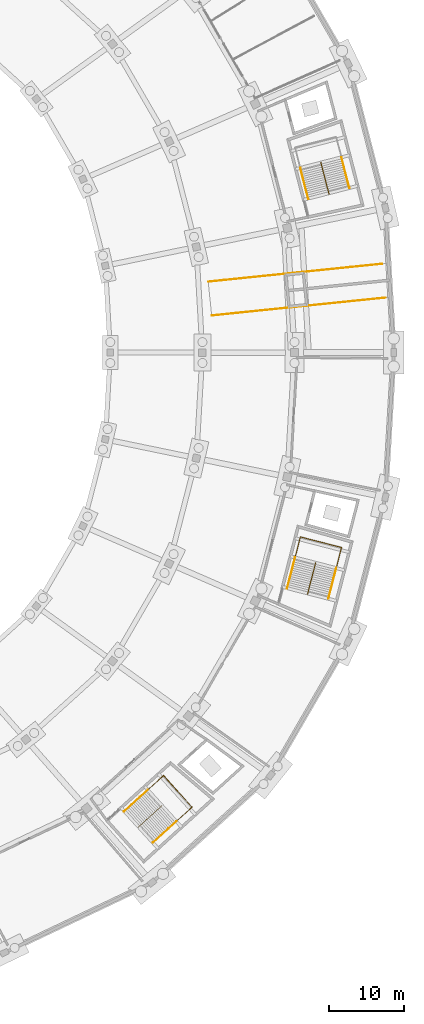
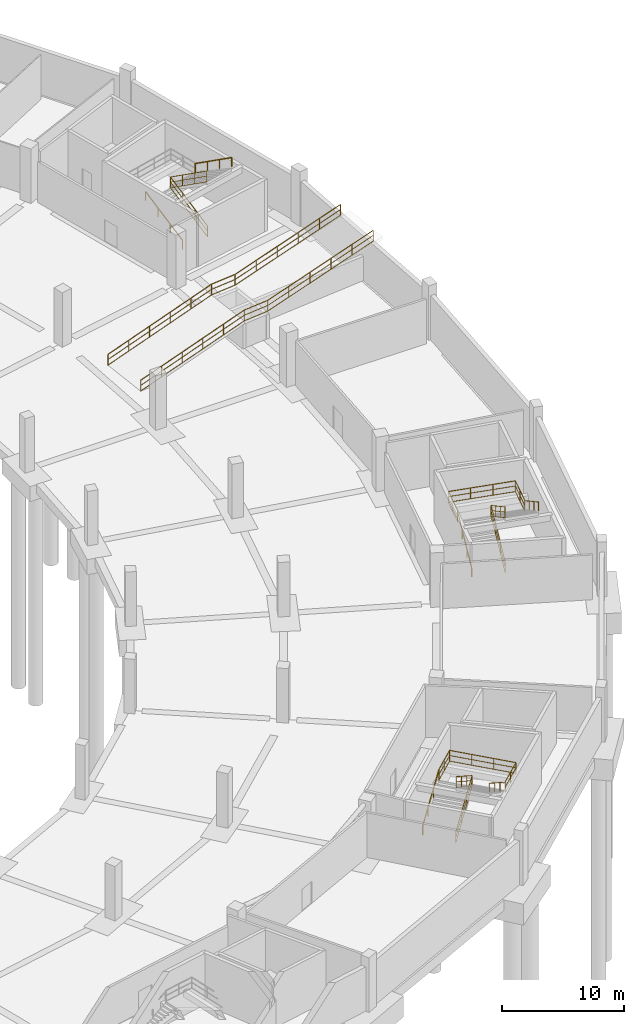
# One storey, part 45 of 49: 13 railings.
"""IFC4 building model written with IfcOpenShell, lengths in metres."""

from ifc_helpers import new_model, si_unit, direction, frame, origin, origin_2d, place, context, subcontext, project, spatial, rectangle, extrude, material, type_object, element, save


model = new_model("IFC4")

# Units and contexts
model_context = context("Model", 3, precision=1e-05, world=origin(), true_north=direction((0.0, 1.0)))
body_context = subcontext(model_context, "Body", "Model", "MODEL_VIEW")
ifc_project = project(units=[si_unit("LENGTHUNIT", "METRE"), si_unit("AREAUNIT", "SQUARE_METRE"), si_unit("VOLUMEUNIT", "CUBIC_METRE"), si_unit("PLANEANGLEUNIT", "RADIAN"), si_unit("MASSUNIT", "GRAM", prefix="KILO")], contexts=[model_context])

# Site, building, storey
site_placement = place(None, origin())
site = spatial("IfcSite", under=ifc_project, at=site_placement, CompositionType="ELEMENT")
building_placement = place(site_placement, origin())
building = spatial("IfcBuilding", under=site, at=building_placement, Name="Kazemori Nagisa Stadium", CompositionType="ELEMENT")
storey_placement = place(building_placement, frame((0.0, 0.0, -5.43994140625)))
storey = spatial("IfcBuildingStorey", under=building, at=storey_placement, Name="B1", CompositionType="ELEMENT", Elevation=-5.43994140625)

# Railings
ifc_material_1 = material(Name="Galvanised powder-coated steel", Category="steel")
railing_type_1 = type_object("IfcRailingType", Name="Rail_GUARD", PredefinedType="GUARDRAIL", material=ifc_material_1)
railing_1_placement = place(storey_placement, frame((209.31298828125, 123.2763671875, 0.0)))
element("IfcRailing", 1, at=railing_1_placement, inside=storey, type_object=railing_type_1, Name="Stair central guard ST07-B1", PredefinedType="GUARDRAIL", context=body_context, shape_type="SweptSolid", body=[
    extrude(rectangle(XDim=0.050048828125, YDim=0.050048828125, at=origin_2d()), frame((0.0, 0.0, 1.09521484375), z_axis=(-0.211589020716, 0.819644641449, 0.532365239339), x_axis=(-0.968257935618, -0.249953135832, 0.0)), (0.0, 0.0, 1.0), 5.109130859375),
    extrude(rectangle(XDim=0.03759765625, YDim=0.03759765625, at=origin_2d()), frame((0.0, 0.0, 0.58251953125), z_axis=(-0.211589020716, 0.819644641449, 0.532365239339), x_axis=(-0.968257935618, -0.249953135832, 0.0)), (0.0, 0.0, 1.0), 5.109130859375),
    extrude(rectangle(XDim=0.03759765625, YDim=0.03759765625, at=origin_2d()), frame((0.0, 0.0, 0.02490234375), z_axis=(-0.211589020716, 0.819644641449, 0.532365239339), x_axis=(-0.968257935618, -0.249953135832, 0.0)), (0.0, 0.0, 1.0), 5.109130859375),
    extrude(rectangle(XDim=0.050048828125, YDim=0.050048828125, at=origin_2d()), frame((-1.0810546875, 4.187744140625, 3.81494140625), z_axis=(0.210450673365, -0.815266345321, 0.539491705466), x_axis=(0.968260264443, 0.249944114354, 0.0)), (0.0, 0.0, 1.0), 5.041748046875),
    extrude(rectangle(XDim=0.03759765625, YDim=0.03759765625, at=origin_2d()), frame((-1.0810546875, 4.187744140625, 3.302490234375), z_axis=(0.210450673365, -0.815266345321, 0.539491705466), x_axis=(0.968260264443, 0.249944114354, 0.0)), (0.0, 0.0, 1.0), 5.041748046875),
    extrude(rectangle(XDim=0.03759765625, YDim=0.03759765625, at=origin_2d()), frame((-1.0810546875, 4.187744140625, 2.7451171875), z_axis=(0.210450673365, -0.815266345321, 0.539491705466), x_axis=(0.968260264443, 0.249944114354, 0.0)), (0.0, 0.0, 1.0), 5.041748046875),
    extrude(rectangle(XDim=0.044921875, YDim=0.044921875, at=origin_2d()), origin(), (0.0, 0.0, 1.0), 1.070068359375),
    extrude(rectangle(XDim=0.044921875, YDim=0.044921875, at=origin_2d()), frame((-0.3603515625, 1.39599609375, 0.90673828125)), (0.0, 0.0, 1.0), 1.070068359375),
    extrude(rectangle(XDim=0.044921875, YDim=0.044921875, at=origin_2d()), frame((-0.720703125, 2.791748046875, 1.813232421875)), (0.0, 0.0, 1.0), 1.070068359375),
    extrude(rectangle(XDim=0.044921875, YDim=0.044921875, at=origin_2d()), frame((-1.0810546875, 4.187744140625, 2.719970703125)), (0.0, 0.0, 1.0), 1.070068359375),
    extrude(rectangle(XDim=0.044921875, YDim=0.044921875, at=origin_2d()), frame((-0.727294921875, 2.817626953125, 3.626708984375)), (0.0, 0.0, 1.0), 1.070068359375),
    extrude(rectangle(XDim=0.044921875, YDim=0.044921875, at=origin_2d()), frame((-0.373779296875, 1.447509765625, 4.533203125)), (0.0, 0.0, 1.0), 1.070068359375),
    extrude(rectangle(XDim=0.044921875, YDim=0.044921875, at=origin_2d()), frame((-0.02001953125, 0.077392578125, 5.43994140625)), (0.0, 0.0, 1.0), 1.070068359375),
])
railing_2_placement = place(storey_placement, frame((183.732177734375, 38.35400390625, 0.0)))
element("IfcRailing", 2, at=railing_2_placement, inside=storey, type_object=railing_type_1, Name="Stair central guard ST04-B1", PredefinedType="GUARDRAIL", context=body_context, shape_type="SweptSolid", body=[
    extrude(rectangle(XDim=0.050048828125, YDim=0.050048828125, at=origin_2d()), frame((0.0, 0.0, 1.09521484375), z_axis=(0.627557777508, 0.568113486393, 0.532370456043), x_axis=(-0.67112318634, 0.741345849626, 0.0)), (0.0, 0.0, 1.0), 5.109130859375),
    extrude(rectangle(XDim=0.03759765625, YDim=0.03759765625, at=origin_2d()), frame((0.0, 0.0, 0.58251953125), z_axis=(0.627557777508, 0.568113486393, 0.532370456043), x_axis=(-0.67112318634, 0.741345849626, 0.0)), (0.0, 0.0, 1.0), 5.109130859375),
    extrude(rectangle(XDim=0.03759765625, YDim=0.03759765625, at=origin_2d()), frame((0.0, 0.0, 0.02490234375), z_axis=(0.627557777508, 0.568113486393, 0.532370456043), x_axis=(-0.67112318634, 0.741345849626, 0.0)), (0.0, 0.0, 1.0), 5.109130859375),
    extrude(rectangle(XDim=0.050048828125, YDim=0.050048828125, at=origin_2d()), frame((3.206298828125, 2.902587890625, 3.81494140625), z_axis=(-0.624200602078, -0.565073454279, 0.539504957933), x_axis=(0.671122625547, -0.741346357298, 0.0)), (0.0, 0.0, 1.0), 5.04150390625),
    extrude(rectangle(XDim=0.03759765625, YDim=0.03759765625, at=origin_2d()), frame((3.206298828125, 2.902587890625, 3.302490234375), z_axis=(-0.624200602078, -0.565073454279, 0.539504957933), x_axis=(0.671122625547, -0.741346357298, 0.0)), (0.0, 0.0, 1.0), 5.04150390625),
    extrude(rectangle(XDim=0.03759765625, YDim=0.03759765625, at=origin_2d()), frame((3.206298828125, 2.902587890625, 2.7451171875), z_axis=(-0.624200602078, -0.565073454279, 0.539504957933), x_axis=(0.671122625547, -0.741346357298, 0.0)), (0.0, 0.0, 1.0), 5.04150390625),
    extrude(rectangle(XDim=0.044921875, YDim=0.044921875, at=origin_2d()), origin(), (0.0, 0.0, 1.0), 1.070068359375),
    extrude(rectangle(XDim=0.044921875, YDim=0.044921875, at=origin_2d()), frame((1.06884765625, 0.967529296875, 0.90673828125)), (0.0, 0.0, 1.0), 1.070068359375),
    extrude(rectangle(XDim=0.044921875, YDim=0.044921875, at=origin_2d()), frame((2.137451171875, 1.93505859375, 1.813232421875)), (0.0, 0.0, 1.0), 1.070068359375),
    extrude(rectangle(XDim=0.044921875, YDim=0.044921875, at=origin_2d()), frame((3.206298828125, 2.902587890625, 2.719970703125)), (0.0, 0.0, 1.0), 1.070068359375),
    extrude(rectangle(XDim=0.044921875, YDim=0.044921875, at=origin_2d()), frame((2.1572265625, 1.952880859375, 3.626708984375)), (0.0, 0.0, 1.0), 1.070068359375),
    extrude(rectangle(XDim=0.044921875, YDim=0.044921875, at=origin_2d()), frame((1.1083984375, 1.00341796875, 4.533203125)), (0.0, 0.0, 1.0), 1.070068359375),
    extrude(rectangle(XDim=0.044921875, YDim=0.044921875, at=origin_2d()), frame((0.059326171875, 0.0537109375, 5.43994140625)), (0.0, 0.0, 1.0), 1.070068359375),
])
railing_3_placement = place(storey_placement, frame((185.02587890625, 43.369384765625, 2.719970703125)))
element("IfcRailing", 3, at=railing_3_placement, inside=storey, type_object=railing_type_1, Name="Stair landing guard ST04-B1", PredefinedType="GUARDRAIL", context=body_context, shape_type="SweptSolid", body=[
    extrude(rectangle(XDim=0.050048828125, YDim=0.050048828125, at=origin_2d()), frame((0.0, 0.0, 1.09521484375), z_axis=(0.741314535645, 0.671157775223, 0.0), x_axis=(-0.671157775223, 0.741314535645, 0.0)), (0.0, 0.0, 1.0), 2.85009765625),
    extrude(rectangle(XDim=0.03759765625, YDim=0.03759765625, at=origin_2d()), frame((0.0, 0.0, 0.58251953125), z_axis=(0.741314535645, 0.671157775223, 0.0), x_axis=(-0.671157775223, 0.741314535645, 0.0)), (0.0, 0.0, 1.0), 2.85009765625),
    extrude(rectangle(XDim=0.03759765625, YDim=0.03759765625, at=origin_2d()), frame((0.0, 0.0, 0.02490234375), z_axis=(0.741314535645, 0.671157775223, 0.0), x_axis=(-0.671157775223, 0.741314535645, 0.0)), (0.0, 0.0, 1.0), 2.85009765625),
    extrude(rectangle(XDim=0.050048828125, YDim=0.050048828125, at=origin_2d()), frame((2.11279296875, 1.912841796875, 1.09521484375), z_axis=(0.671112926645, -0.74135513736, 0.0), x_axis=(0.74135513736, 0.671112926645, 0.0)), (0.0, 0.0, 1.0), 5.7001953125),
    extrude(rectangle(XDim=0.03759765625, YDim=0.03759765625, at=origin_2d()), frame((2.11279296875, 1.912841796875, 0.58251953125), z_axis=(0.671112926645, -0.74135513736, 0.0), x_axis=(0.74135513736, 0.671112926645, 0.0)), (0.0, 0.0, 1.0), 5.7001953125),
    extrude(rectangle(XDim=0.03759765625, YDim=0.03759765625, at=origin_2d()), frame((2.11279296875, 1.912841796875, 0.02490234375), z_axis=(0.671112926645, -0.74135513736, 0.0), x_axis=(0.74135513736, 0.671112926645, 0.0)), (0.0, 0.0, 1.0), 5.7001953125),
    extrude(rectangle(XDim=0.050048828125, YDim=0.050048828125, at=origin_2d()), frame((5.938232421875, -2.31298828125, 1.09521484375), z_axis=(-0.741357156534, -0.671110696127, 0.0), x_axis=(0.671110696127, -0.741357156534, 0.0)), (0.0, 0.0, 1.0), 2.849853515625),
    extrude(rectangle(XDim=0.03759765625, YDim=0.03759765625, at=origin_2d()), frame((5.938232421875, -2.31298828125, 0.58251953125), z_axis=(-0.741357156534, -0.671110696127, 0.0), x_axis=(0.671110696127, -0.741357156534, 0.0)), (0.0, 0.0, 1.0), 2.849853515625),
    extrude(rectangle(XDim=0.03759765625, YDim=0.03759765625, at=origin_2d()), frame((5.938232421875, -2.31298828125, 0.02490234375), z_axis=(-0.741357156534, -0.671110696127, 0.0), x_axis=(0.671110696127, -0.741357156534, 0.0)), (0.0, 0.0, 1.0), 2.849853515625),
    extrude(rectangle(XDim=0.044921875, YDim=0.044921875, at=origin_2d()), origin(), (0.0, 0.0, 1.0), 1.070068359375),
    extrude(rectangle(XDim=0.044921875, YDim=0.044921875, at=origin_2d()), frame((1.056396484375, 0.95654296875, 0.0)), (0.0, 0.0, 1.0), 1.070068359375),
    extrude(rectangle(XDim=0.044921875, YDim=0.044921875, at=origin_2d()), frame((2.11279296875, 1.912841796875, 0.0)), (0.0, 0.0, 1.0), 1.070068359375),
    extrude(rectangle(XDim=0.044921875, YDim=0.044921875, at=origin_2d()), frame((3.387939453125, 0.504150390625, 0.0)), (0.0, 0.0, 1.0), 1.070068359375),
    extrude(rectangle(XDim=0.044921875, YDim=0.044921875, at=origin_2d()), frame((4.6630859375, -0.904296875, 0.0)), (0.0, 0.0, 1.0), 1.070068359375),
    extrude(rectangle(XDim=0.044921875, YDim=0.044921875, at=origin_2d()), frame((5.938232421875, -2.31298828125, 0.0)), (0.0, 0.0, 1.0), 1.070068359375),
    extrude(rectangle(XDim=0.044921875, YDim=0.044921875, at=origin_2d()), frame((4.8818359375, -3.269287109375, 0.0)), (0.0, 0.0, 1.0), 1.070068359375),
    extrude(rectangle(XDim=0.044921875, YDim=0.044921875, at=origin_2d()), frame((3.825439453125, -4.2255859375, 0.0)), (0.0, 0.0, 1.0), 1.070068359375),
])
railing_4_placement = place(storey_placement, frame((206.4482421875, 69.626708984375, 0.0)))
element("IfcRailing", 4, at=railing_4_placement, inside=storey, type_object=railing_type_1, Name="Stair central guard ST10-B1", PredefinedType="GUARDRAIL", context=body_context, shape_type="SweptSolid", body=[
    extrude(rectangle(XDim=0.050048828125, YDim=0.050048828125, at=origin_2d()), frame((0.0, 0.0, 1.09521484375), z_axis=(0.211597308093, 0.819628958538, 0.532386090664), x_axis=(-0.968254408632, 0.249966798124, 0.0)), (0.0, 0.0, 1.0), 5.109130859375),
    extrude(rectangle(XDim=0.03759765625, YDim=0.03759765625, at=origin_2d()), frame((0.0, 0.0, 0.58251953125), z_axis=(0.211597308093, 0.819628958538, 0.532386090664), x_axis=(-0.968254408632, 0.249966798124, 0.0)), (0.0, 0.0, 1.0), 5.109130859375),
    extrude(rectangle(XDim=0.03759765625, YDim=0.03759765625, at=origin_2d()), frame((0.0, 0.0, 0.02490234375), z_axis=(0.211597308093, 0.819628958538, 0.532386090664), x_axis=(-0.968254408632, 0.249966798124, 0.0)), (0.0, 0.0, 1.0), 5.109130859375),
    extrude(rectangle(XDim=0.050048828125, YDim=0.050048828125, at=origin_2d()), frame((1.0810546875, 4.1875, 3.81494140625), z_axis=(-0.210458981877, -0.81525010582, 0.539513004392), x_axis=(0.968256671294, -0.249958033468, 0.0)), (0.0, 0.0, 1.0), 5.04150390625),
    extrude(rectangle(XDim=0.03759765625, YDim=0.03759765625, at=origin_2d()), frame((1.0810546875, 4.1875, 3.302490234375), z_axis=(-0.210458981877, -0.81525010582, 0.539513004392), x_axis=(0.968256671294, -0.249958033468, 0.0)), (0.0, 0.0, 1.0), 5.04150390625),
    extrude(rectangle(XDim=0.03759765625, YDim=0.03759765625, at=origin_2d()), frame((1.0810546875, 4.1875, 2.7451171875), z_axis=(-0.210458981877, -0.81525010582, 0.539513004392), x_axis=(0.968256671294, -0.249958033468, 0.0)), (0.0, 0.0, 1.0), 5.04150390625),
    extrude(rectangle(XDim=0.044921875, YDim=0.044921875, at=origin_2d()), origin(), (0.0, 0.0, 1.0), 1.070068359375),
    extrude(rectangle(XDim=0.044921875, YDim=0.044921875, at=origin_2d()), frame((0.3603515625, 1.395751953125, 0.90673828125)), (0.0, 0.0, 1.0), 1.070068359375),
    extrude(rectangle(XDim=0.044921875, YDim=0.044921875, at=origin_2d()), frame((0.720703125, 2.791748046875, 1.813232421875)), (0.0, 0.0, 1.0), 1.070068359375),
    extrude(rectangle(XDim=0.044921875, YDim=0.044921875, at=origin_2d()), frame((1.0810546875, 4.1875, 2.719970703125)), (0.0, 0.0, 1.0), 1.070068359375),
    extrude(rectangle(XDim=0.044921875, YDim=0.044921875, at=origin_2d()), frame((0.727294921875, 2.8173828125, 3.626708984375)), (0.0, 0.0, 1.0), 1.070068359375),
    extrude(rectangle(XDim=0.044921875, YDim=0.044921875, at=origin_2d()), frame((0.373779296875, 1.447509765625, 4.533203125)), (0.0, 0.0, 1.0), 1.070068359375),
    extrude(rectangle(XDim=0.044921875, YDim=0.044921875, at=origin_2d()), frame((0.02001953125, 0.077392578125, 5.43994140625)), (0.0, 0.0, 1.0), 1.070068359375),
])
railing_5_placement = place(storey_placement, frame((204.769775390625, 74.526611328125, 2.719970703125)))
element("IfcRailing", 5, at=railing_5_placement, inside=storey, type_object=railing_type_1, Name="Stair landing guard ST10-B1", PredefinedType="GUARDRAIL", context=body_context, shape_type="SweptSolid", body=[
    extrude(rectangle(XDim=0.050048828125, YDim=0.050048828125, at=origin_2d()), frame((0.0, 0.0, 1.09521484375), z_axis=(0.249966105142, 0.968254587534, 0.0), x_axis=(-0.968254587534, 0.249966105142, 0.0)), (0.0, 0.0, 1.0), 2.85009765625),
    extrude(rectangle(XDim=0.03759765625, YDim=0.03759765625, at=origin_2d()), frame((0.0, 0.0, 0.58251953125), z_axis=(0.249966105142, 0.968254587534, 0.0), x_axis=(-0.968254587534, 0.249966105142, 0.0)), (0.0, 0.0, 1.0), 2.85009765625),
    extrude(rectangle(XDim=0.03759765625, YDim=0.03759765625, at=origin_2d()), frame((0.0, 0.0, 0.02490234375), z_axis=(0.249966105142, 0.968254587534, 0.0), x_axis=(-0.968254587534, 0.249966105142, 0.0)), (0.0, 0.0, 1.0), 2.85009765625),
    extrude(rectangle(XDim=0.050048828125, YDim=0.050048828125, at=origin_2d()), frame((0.71240234375, 2.759521484375, 1.09521484375), z_axis=(0.968254587534, -0.249966105142, 0.0), x_axis=(0.249966105142, 0.968254587534, 0.0)), (0.0, 0.0, 1.0), 5.699951171875),
    extrude(rectangle(XDim=0.03759765625, YDim=0.03759765625, at=origin_2d()), frame((0.71240234375, 2.759521484375, 0.58251953125), z_axis=(0.968254587534, -0.249966105142, 0.0), x_axis=(0.249966105142, 0.968254587534, 0.0)), (0.0, 0.0, 1.0), 5.699951171875),
    extrude(rectangle(XDim=0.03759765625, YDim=0.03759765625, at=origin_2d()), frame((0.71240234375, 2.759521484375, 0.02490234375), z_axis=(0.968254587534, -0.249966105142, 0.0), x_axis=(0.249966105142, 0.968254587534, 0.0)), (0.0, 0.0, 1.0), 5.699951171875),
    extrude(rectangle(XDim=0.050048828125, YDim=0.050048828125, at=origin_2d()), frame((6.2314453125, 1.334716796875, 1.09521484375), z_axis=(-0.249966105142, -0.968254587534, 0.0), x_axis=(0.968254587534, -0.249966105142, 0.0)), (0.0, 0.0, 1.0), 2.85009765625),
    extrude(rectangle(XDim=0.03759765625, YDim=0.03759765625, at=origin_2d()), frame((6.2314453125, 1.334716796875, 0.58251953125), z_axis=(-0.249966105142, -0.968254587534, 0.0), x_axis=(0.968254587534, -0.249966105142, 0.0)), (0.0, 0.0, 1.0), 2.85009765625),
    extrude(rectangle(XDim=0.03759765625, YDim=0.03759765625, at=origin_2d()), frame((6.2314453125, 1.334716796875, 0.02490234375), z_axis=(-0.249966105142, -0.968254587534, 0.0), x_axis=(0.968254587534, -0.249966105142, 0.0)), (0.0, 0.0, 1.0), 2.85009765625),
    extrude(rectangle(XDim=0.044921875, YDim=0.044921875, at=origin_2d()), origin(), (0.0, 0.0, 1.0), 1.070068359375),
    extrude(rectangle(XDim=0.044921875, YDim=0.044921875, at=origin_2d()), frame((0.356201171875, 1.3798828125, 0.0)), (0.0, 0.0, 1.0), 1.070068359375),
    extrude(rectangle(XDim=0.044921875, YDim=0.044921875, at=origin_2d()), frame((0.71240234375, 2.759521484375, 0.0)), (0.0, 0.0, 1.0), 1.070068359375),
    extrude(rectangle(XDim=0.044921875, YDim=0.044921875, at=origin_2d()), frame((2.552001953125, 2.28466796875, 0.0)), (0.0, 0.0, 1.0), 1.070068359375),
    extrude(rectangle(XDim=0.044921875, YDim=0.044921875, at=origin_2d()), frame((4.391845703125, 1.8095703125, 0.0)), (0.0, 0.0, 1.0), 1.070068359375),
    extrude(rectangle(XDim=0.044921875, YDim=0.044921875, at=origin_2d()), frame((6.2314453125, 1.334716796875, 0.0)), (0.0, 0.0, 1.0), 1.070068359375),
    extrude(rectangle(XDim=0.044921875, YDim=0.044921875, at=origin_2d()), frame((5.875244140625, -0.044921875, 0.0)), (0.0, 0.0, 1.0), 1.070068359375),
    extrude(rectangle(XDim=0.044921875, YDim=0.044921875, at=origin_2d()), frame((5.51904296875, -1.4248046875, 0.0)), (0.0, 0.0, 1.0), 1.070068359375),
])
railing_6_placement = place(storey_placement, frame((193.591064453125, 106.95751953125, 0.0)))
element("IfcRailing", 6, at=railing_6_placement, inside=storey, type_object=railing_type_1, Name="Vehicle service ramp side guard RV1-L", PredefinedType="GUARDRAIL", context=body_context, shape_type="SweptSolid", body=[
    extrude(rectangle(XDim=0.050048828125, YDim=0.050048828125, at=origin_2d()), frame((0.0, 0.0, 1.09521484375), z_axis=(0.962651316404, 0.098864568463, 0.252048090904), x_axis=(-0.102162928233, 0.994767679458, 0.0)), (0.0, 0.0, 1.0), 10.79150390625),
    extrude(rectangle(XDim=0.03759765625, YDim=0.03759765625, at=origin_2d()), frame((0.0, 0.0, 0.58251953125), z_axis=(0.962651316404, 0.098864568463, 0.252048090904), x_axis=(-0.102162928233, 0.994767679458, 0.0)), (0.0, 0.0, 1.0), 10.79150390625),
    extrude(rectangle(XDim=0.03759765625, YDim=0.03759765625, at=origin_2d()), frame((0.0, 0.0, 0.02490234375), z_axis=(0.962651316404, 0.098864568463, 0.252048090904), x_axis=(-0.102162928233, 0.994767679458, 0.0)), (0.0, 0.0, 1.0), 10.79150390625),
    extrude(rectangle(XDim=0.050048828125, YDim=0.050048828125, at=origin_2d()), frame((10.388427734375, 1.06689453125, 3.81494140625), z_axis=(0.994769921471, 0.102141095235, 0.0), x_axis=(-0.102141095235, 0.994769921471, 0.0)), (0.0, 0.0, 1.0), 2.37353515625),
    extrude(rectangle(XDim=0.03759765625, YDim=0.03759765625, at=origin_2d()), frame((10.388427734375, 1.06689453125, 3.302490234375), z_axis=(0.994769921471, 0.102141095235, 0.0), x_axis=(-0.102141095235, 0.994769921471, 0.0)), (0.0, 0.0, 1.0), 2.37353515625),
    extrude(rectangle(XDim=0.03759765625, YDim=0.03759765625, at=origin_2d()), frame((10.388427734375, 1.06689453125, 2.7451171875), z_axis=(0.994769921471, 0.102141095235, 0.0), x_axis=(-0.102141095235, 0.994769921471, 0.0)), (0.0, 0.0, 1.0), 2.37353515625),
    extrude(rectangle(XDim=0.050048828125, YDim=0.050048828125, at=origin_2d()), frame((12.74951171875, 1.309326171875, 3.81494140625), z_axis=(0.965878642902, 0.099209675028, 0.239240229826), x_axis=(-0.102176849116, 0.994766249681, 0.0)), (0.0, 0.0, 1.0), 10.95068359375),
    extrude(rectangle(XDim=0.03759765625, YDim=0.03759765625, at=origin_2d()), frame((12.74951171875, 1.309326171875, 3.302490234375), z_axis=(0.965878642902, 0.099209675028, 0.239240229826), x_axis=(-0.102176849116, 0.994766249681, 0.0)), (0.0, 0.0, 1.0), 10.95068359375),
    extrude(rectangle(XDim=0.03759765625, YDim=0.03759765625, at=origin_2d()), frame((12.74951171875, 1.309326171875, 2.7451171875), z_axis=(0.965878642902, 0.099209675028, 0.239240229826), x_axis=(-0.102176849116, 0.994766249681, 0.0)), (0.0, 0.0, 1.0), 10.95068359375),
    extrude(rectangle(XDim=0.044921875, YDim=0.044921875, at=origin_2d()), origin(), (0.0, 0.0, 1.0), 1.070068359375),
    extrude(rectangle(XDim=0.044921875, YDim=0.044921875, at=origin_2d()), frame((2.07763671875, 0.21337890625, 0.5439453125)), (0.0, 0.0, 1.0), 1.070068359375),
    extrude(rectangle(XDim=0.044921875, YDim=0.044921875, at=origin_2d()), frame((4.1552734375, 0.4267578125, 1.087890625)), (0.0, 0.0, 1.0), 1.070068359375),
    extrude(rectangle(XDim=0.044921875, YDim=0.044921875, at=origin_2d()), frame((6.233154296875, 0.64013671875, 1.632080078125)), (0.0, 0.0, 1.0), 1.070068359375),
    extrude(rectangle(XDim=0.044921875, YDim=0.044921875, at=origin_2d()), frame((8.310791015625, 0.853515625, 2.176025390625)), (0.0, 0.0, 1.0), 1.070068359375),
    extrude(rectangle(XDim=0.044921875, YDim=0.044921875, at=origin_2d()), frame((10.388427734375, 1.06689453125, 2.719970703125)), (0.0, 0.0, 1.0), 1.070068359375),
    extrude(rectangle(XDim=0.044921875, YDim=0.044921875, at=origin_2d()), frame((12.74951171875, 1.309326171875, 2.719970703125)), (0.0, 0.0, 1.0), 1.070068359375),
    extrude(rectangle(XDim=0.044921875, YDim=0.044921875, at=origin_2d()), frame((14.864990234375, 1.526611328125, 3.243896484375)), (0.0, 0.0, 1.0), 1.070068359375),
    extrude(rectangle(XDim=0.044921875, YDim=0.044921875, at=origin_2d()), frame((16.98046875, 1.743896484375, 3.767822265625)), (0.0, 0.0, 1.0), 1.070068359375),
    extrude(rectangle(XDim=0.044921875, YDim=0.044921875, at=origin_2d()), frame((19.095703125, 1.961181640625, 4.2919921875)), (0.0, 0.0, 1.0), 1.070068359375),
    extrude(rectangle(XDim=0.044921875, YDim=0.044921875, at=origin_2d()), frame((21.211181640625, 2.178466796875, 4.81591796875)), (0.0, 0.0, 1.0), 1.070068359375),
    extrude(rectangle(XDim=0.044921875, YDim=0.044921875, at=origin_2d()), frame((23.32666015625, 2.395751953125, 5.33984375)), (0.0, 0.0, 1.0), 1.070068359375),
])
railing_7_placement = place(storey_placement, frame((193.125244140625, 111.49365234375, 0.0)))
element("IfcRailing", 7, at=railing_7_placement, inside=storey, type_object=railing_type_1, Name="Vehicle service ramp side guard RV1-R", PredefinedType="GUARDRAIL", context=body_context, shape_type="SweptSolid", body=[
    extrude(rectangle(XDim=0.050048828125, YDim=0.050048828125, at=origin_2d()), frame((0.0, 0.0, 1.09521484375), z_axis=(0.962651316404, 0.098864568463, 0.252048090904), x_axis=(-0.102162928233, 0.994767679458, 0.0)), (0.0, 0.0, 1.0), 10.79150390625),
    extrude(rectangle(XDim=0.03759765625, YDim=0.03759765625, at=origin_2d()), frame((0.0, 0.0, 0.58251953125), z_axis=(0.962651316404, 0.098864568463, 0.252048090904), x_axis=(-0.102162928233, 0.994767679458, 0.0)), (0.0, 0.0, 1.0), 10.79150390625),
    extrude(rectangle(XDim=0.03759765625, YDim=0.03759765625, at=origin_2d()), frame((0.0, 0.0, 0.02490234375), z_axis=(0.962651316404, 0.098864568463, 0.252048090904), x_axis=(-0.102162928233, 0.994767679458, 0.0)), (0.0, 0.0, 1.0), 10.79150390625),
    extrude(rectangle(XDim=0.050048828125, YDim=0.050048828125, at=origin_2d()), frame((10.388427734375, 1.06689453125, 3.81494140625), z_axis=(0.994768848177, 0.102151547698, 0.0), x_axis=(-0.102151547698, 0.994768848177, 0.0)), (0.0, 0.0, 1.0), 2.373291015625),
    extrude(rectangle(XDim=0.03759765625, YDim=0.03759765625, at=origin_2d()), frame((10.388427734375, 1.06689453125, 3.302490234375), z_axis=(0.994768848177, 0.102151547698, 0.0), x_axis=(-0.102151547698, 0.994768848177, 0.0)), (0.0, 0.0, 1.0), 2.373291015625),
    extrude(rectangle(XDim=0.03759765625, YDim=0.03759765625, at=origin_2d()), frame((10.388427734375, 1.06689453125, 2.7451171875), z_axis=(0.994768848177, 0.102151547698, 0.0), x_axis=(-0.102151547698, 0.994768848177, 0.0)), (0.0, 0.0, 1.0), 2.373291015625),
    extrude(rectangle(XDim=0.050048828125, YDim=0.050048828125, at=origin_2d()), frame((12.749267578125, 1.309326171875, 3.81494140625), z_axis=(0.965880138321, 0.099207538731, 0.23923507823), x_axis=(-0.102174515356, 0.994766489389, 0.0)), (0.0, 0.0, 1.0), 10.950927734375),
    extrude(rectangle(XDim=0.03759765625, YDim=0.03759765625, at=origin_2d()), frame((12.749267578125, 1.309326171875, 3.302490234375), z_axis=(0.965880138321, 0.099207538731, 0.23923507823), x_axis=(-0.102174515356, 0.994766489389, 0.0)), (0.0, 0.0, 1.0), 10.950927734375),
    extrude(rectangle(XDim=0.03759765625, YDim=0.03759765625, at=origin_2d()), frame((12.749267578125, 1.309326171875, 2.7451171875), z_axis=(0.965880138321, 0.099207538731, 0.23923507823), x_axis=(-0.102174515356, 0.994766489389, 0.0)), (0.0, 0.0, 1.0), 10.950927734375),
    extrude(rectangle(XDim=0.044921875, YDim=0.044921875, at=origin_2d()), origin(), (0.0, 0.0, 1.0), 1.070068359375),
    extrude(rectangle(XDim=0.044921875, YDim=0.044921875, at=origin_2d()), frame((2.07763671875, 0.21337890625, 0.5439453125)), (0.0, 0.0, 1.0), 1.070068359375),
    extrude(rectangle(XDim=0.044921875, YDim=0.044921875, at=origin_2d()), frame((4.1552734375, 0.4267578125, 1.087890625)), (0.0, 0.0, 1.0), 1.070068359375),
    extrude(rectangle(XDim=0.044921875, YDim=0.044921875, at=origin_2d()), frame((6.233154296875, 0.64013671875, 1.632080078125)), (0.0, 0.0, 1.0), 1.070068359375),
    extrude(rectangle(XDim=0.044921875, YDim=0.044921875, at=origin_2d()), frame((8.310791015625, 0.853515625, 2.176025390625)), (0.0, 0.0, 1.0), 1.070068359375),
    extrude(rectangle(XDim=0.044921875, YDim=0.044921875, at=origin_2d()), frame((10.388427734375, 1.06689453125, 2.719970703125)), (0.0, 0.0, 1.0), 1.070068359375),
    extrude(rectangle(XDim=0.044921875, YDim=0.044921875, at=origin_2d()), frame((12.749267578125, 1.309326171875, 2.719970703125)), (0.0, 0.0, 1.0), 1.070068359375),
    extrude(rectangle(XDim=0.044921875, YDim=0.044921875, at=origin_2d()), frame((14.86474609375, 1.526611328125, 3.243896484375)), (0.0, 0.0, 1.0), 1.070068359375),
    extrude(rectangle(XDim=0.044921875, YDim=0.044921875, at=origin_2d()), frame((16.980224609375, 1.743896484375, 3.767822265625)), (0.0, 0.0, 1.0), 1.070068359375),
    extrude(rectangle(XDim=0.044921875, YDim=0.044921875, at=origin_2d()), frame((19.095703125, 1.961181640625, 4.2919921875)), (0.0, 0.0, 1.0), 1.070068359375),
    extrude(rectangle(XDim=0.044921875, YDim=0.044921875, at=origin_2d()), frame((21.211181640625, 2.178466796875, 4.81591796875)), (0.0, 0.0, 1.0), 1.070068359375),
    extrude(rectangle(XDim=0.044921875, YDim=0.044921875, at=origin_2d()), frame((23.32666015625, 2.395751953125, 5.33984375)), (0.0, 0.0, 1.0), 1.070068359375),
])
ifc_material_2 = material(Name="Stainless steel SUS304", Category="steel")
railing_type_2 = type_object("IfcRailingType", Name="Rail_HAND", PredefinedType="HANDRAIL", material=ifc_material_2)
railing_8_placement = place(storey_placement, frame((206.553466796875, 122.56396484375, 0.169921875)))
element("IfcRailing", 8, at=railing_8_placement, inside=storey, type_object=railing_type_2, Name="Stair handrail ST07-B1-F1", PredefinedType="HANDRAIL", context=body_context, shape_type="SweptSolid", body=[
    extrude(rectangle(XDim=0.050048828125, YDim=0.050048828125, at=origin_2d()), frame((0.0, 0.0, 0.875), z_axis=(-0.211589020716, 0.819644641449, 0.532365239339), x_axis=(-0.968257935618, -0.249953135832, 0.0)), (0.0, 0.0, 1.0), 5.109130859375),
    extrude(rectangle(XDim=0.044921875, YDim=0.044921875, at=origin_2d()), origin(), (0.0, 0.0, 1.0), 0.849853515625),
    extrude(rectangle(XDim=0.044921875, YDim=0.044921875, at=origin_2d()), frame((-0.3603515625, 1.39599609375, 0.90673828125)), (0.0, 0.0, 1.0), 0.849853515625),
    extrude(rectangle(XDim=0.044921875, YDim=0.044921875, at=origin_2d()), frame((-0.720703125, 2.791748046875, 1.813232421875)), (0.0, 0.0, 1.0), 0.849853515625),
    extrude(rectangle(XDim=0.044921875, YDim=0.044921875, at=origin_2d()), frame((-1.0810546875, 4.187744140625, 2.719970703125)), (0.0, 0.0, 1.0), 0.849853515625),
])
railing_9_placement = place(storey_placement, frame((210.991455078125, 128.17626953125, 2.889892578125)))
element("IfcRailing", 9, at=railing_9_placement, inside=storey, type_object=railing_type_2, Name="Stair handrail ST07-B1-F2", PredefinedType="HANDRAIL", context=body_context, shape_type="SweptSolid", body=[
    extrude(rectangle(XDim=0.050048828125, YDim=0.050048828125, at=origin_2d()), frame((0.0, 0.0, 0.875), z_axis=(0.210458981877, -0.81525010582, 0.539513004392), x_axis=(0.968256671294, 0.249958033468, 0.0)), (0.0, 0.0, 1.0), 5.04150390625),
    extrude(rectangle(XDim=0.044921875, YDim=0.044921875, at=origin_2d()), origin(), (0.0, 0.0, 1.0), 0.849853515625),
    extrude(rectangle(XDim=0.044921875, YDim=0.044921875, at=origin_2d()), frame((0.353759765625, -1.3701171875, 0.90673828125)), (0.0, 0.0, 1.0), 0.849853515625),
    extrude(rectangle(XDim=0.044921875, YDim=0.044921875, at=origin_2d()), frame((0.707275390625, -2.739990234375, 1.813232421875)), (0.0, 0.0, 1.0), 0.849853515625),
    extrude(rectangle(XDim=0.044921875, YDim=0.044921875, at=origin_2d()), frame((1.06103515625, -4.110107421875, 2.719970703125)), (0.0, 0.0, 1.0), 0.849853515625),
])
railing_10_placement = place(storey_placement, frame((181.819580078125, 40.466796875, 0.169921875)))
element("IfcRailing", 10, at=railing_10_placement, inside=storey, type_object=railing_type_2, Name="Stair handrail ST04-B1-F1", PredefinedType="HANDRAIL", context=body_context, shape_type="SweptSolid", body=[
    extrude(rectangle(XDim=0.050048828125, YDim=0.050048828125, at=origin_2d()), frame((0.0, 0.0, 0.875), z_axis=(0.627557777508, 0.568113486393, 0.532370456043), x_axis=(-0.67112318634, 0.741345849626, 0.0)), (0.0, 0.0, 1.0), 5.109130859375),
    extrude(rectangle(XDim=0.044921875, YDim=0.044921875, at=origin_2d()), origin(), (0.0, 0.0, 1.0), 0.849853515625),
    extrude(rectangle(XDim=0.044921875, YDim=0.044921875, at=origin_2d()), frame((1.06884765625, 0.967529296875, 0.90673828125)), (0.0, 0.0, 1.0), 0.849853515625),
    extrude(rectangle(XDim=0.044921875, YDim=0.044921875, at=origin_2d()), frame((2.137451171875, 1.93505859375, 1.813232421875)), (0.0, 0.0, 1.0), 0.849853515625),
    extrude(rectangle(XDim=0.044921875, YDim=0.044921875, at=origin_2d()), frame((3.206298828125, 2.902587890625, 2.719970703125)), (0.0, 0.0, 1.0), 0.849853515625),
])
railing_11_placement = place(storey_placement, frame((188.851318359375, 39.143798828125, 2.889892578125)))
element("IfcRailing", 11, at=railing_11_placement, inside=storey, type_object=railing_type_2, Name="Stair handrail ST04-B1-F2", PredefinedType="HANDRAIL", context=body_context, shape_type="SweptSolid", body=[
    extrude(rectangle(XDim=0.050048828125, YDim=0.050048828125, at=origin_2d()), frame((0.0, 0.0, 0.875), z_axis=(-0.624230158192, -0.5650563739, 0.539488650408), x_axis=(0.67109401143, -0.741372259949, 0.0)), (0.0, 0.0, 1.0), 5.041748046875),
    extrude(rectangle(XDim=0.044921875, YDim=0.044921875, at=origin_2d()), origin(), (0.0, 0.0, 1.0), 0.849853515625),
    extrude(rectangle(XDim=0.044921875, YDim=0.044921875, at=origin_2d()), frame((-1.049072265625, -0.94970703125, 0.90673828125)), (0.0, 0.0, 1.0), 0.849853515625),
    extrude(rectangle(XDim=0.044921875, YDim=0.044921875, at=origin_2d()), frame((-2.09814453125, -1.899169921875, 1.813232421875)), (0.0, 0.0, 1.0), 0.849853515625),
    extrude(rectangle(XDim=0.044921875, YDim=0.044921875, at=origin_2d()), frame((-3.147216796875, -2.848876953125, 2.719970703125)), (0.0, 0.0, 1.0), 0.849853515625),
])
railing_12_placement = place(storey_placement, frame((203.688720703125, 70.3388671875, 0.169921875)))
element("IfcRailing", 12, at=railing_12_placement, inside=storey, type_object=railing_type_2, Name="Stair handrail ST10-B1-F1", PredefinedType="HANDRAIL", context=body_context, shape_type="SweptSolid", body=[
    extrude(rectangle(XDim=0.050048828125, YDim=0.050048828125, at=origin_2d()), frame((0.0, 0.0, 0.875), z_axis=(0.211589020716, 0.819644641449, 0.532365239339), x_axis=(-0.968257935618, 0.249953135832, 0.0)), (0.0, 0.0, 1.0), 5.109130859375),
    extrude(rectangle(XDim=0.044921875, YDim=0.044921875, at=origin_2d()), origin(), (0.0, 0.0, 1.0), 0.849853515625),
    extrude(rectangle(XDim=0.044921875, YDim=0.044921875, at=origin_2d()), frame((0.3603515625, 1.39599609375, 0.90673828125)), (0.0, 0.0, 1.0), 0.849853515625),
    extrude(rectangle(XDim=0.044921875, YDim=0.044921875, at=origin_2d()), frame((0.720703125, 2.791748046875, 1.813232421875)), (0.0, 0.0, 1.0), 0.849853515625),
    extrude(rectangle(XDim=0.044921875, YDim=0.044921875, at=origin_2d()), frame((1.0810546875, 4.187744140625, 2.719970703125)), (0.0, 0.0, 1.0), 0.849853515625),
])
railing_13_placement = place(storey_placement, frame((210.288818359375, 73.101806640625, 2.889892578125)))
element("IfcRailing", 13, at=railing_13_placement, inside=storey, type_object=railing_type_2, Name="Stair handrail ST10-B1-F2", PredefinedType="HANDRAIL", context=body_context, shape_type="SweptSolid", body=[
    extrude(rectangle(XDim=0.050048828125, YDim=0.050048828125, at=origin_2d()), frame((0.0, 0.0, 0.875), z_axis=(-0.210458981877, -0.81525010582, 0.539513004392), x_axis=(0.968256671294, -0.249958033468, 0.0)), (0.0, 0.0, 1.0), 5.04150390625),
    extrude(rectangle(XDim=0.044921875, YDim=0.044921875, at=origin_2d()), origin(), (0.0, 0.0, 1.0), 0.849853515625),
    extrude(rectangle(XDim=0.044921875, YDim=0.044921875, at=origin_2d()), frame((-0.353759765625, -1.3701171875, 0.90673828125)), (0.0, 0.0, 1.0), 0.849853515625),
    extrude(rectangle(XDim=0.044921875, YDim=0.044921875, at=origin_2d()), frame((-0.707275390625, -2.739990234375, 1.813232421875)), (0.0, 0.0, 1.0), 0.849853515625),
    extrude(rectangle(XDim=0.044921875, YDim=0.044921875, at=origin_2d()), frame((-1.06103515625, -4.110107421875, 2.719970703125)), (0.0, 0.0, 1.0), 0.849853515625),
])

save(model, "model.ifc")
